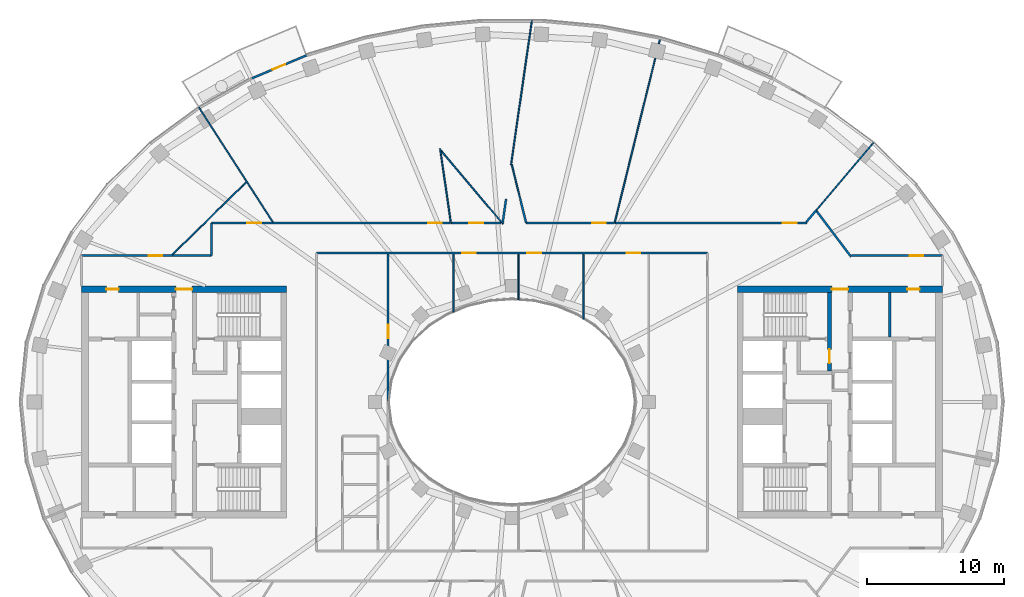
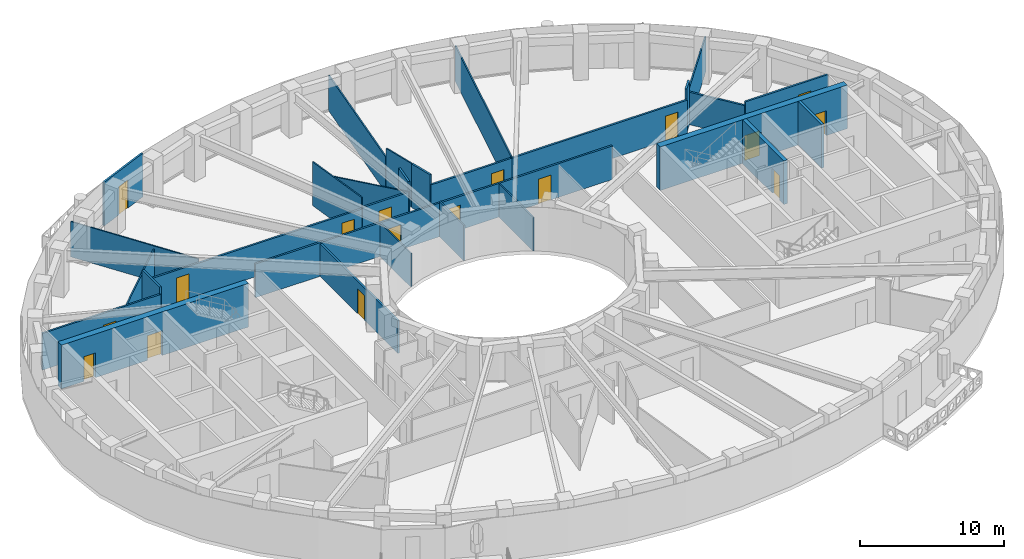
# One storey, part 6 of 15: 29 walls, 17 doors, 17 openings.
"""IFC4 building model written with IfcOpenShell, lengths in metres."""

from ifc_helpers import new_model, si_unit, direction, frame, frame_2d, origin, place, context, subcontext, project, spatial, rectangle, extrude, material, layer, layer_set, type_object, element, fill, save


model = new_model("IFC4")

# Units and contexts
model_context = context("Model", 3, precision=1e-05, world=origin(), true_north=direction((0.0, 1.0)))
body_context = subcontext(model_context, "Body", "Model", "MODEL_VIEW")
ifc_project = project(units=[si_unit("LENGTHUNIT", "METRE"), si_unit("AREAUNIT", "SQUARE_METRE"), si_unit("VOLUMEUNIT", "CUBIC_METRE"), si_unit("PLANEANGLEUNIT", "RADIAN"), si_unit("MASSUNIT", "GRAM", prefix="KILO")], contexts=[model_context])

# Site, building, storey
site_placement = place(None, origin())
site = spatial("IfcSite", under=ifc_project, at=site_placement, CompositionType="ELEMENT")
building_placement = place(site_placement, origin())
building = spatial("IfcBuilding", under=site, at=building_placement, Name="Noorbagh Ring Tower", CompositionType="ELEMENT")
storey_placement = place(building_placement, frame((0.0, 0.0, 265.5)))
storey = spatial("IfcBuildingStorey", under=building, at=storey_placement, Name="L56", CompositionType="ELEMENT", Elevation=265.5)

# Wall
ifc_material_1 = material(Name="Gypsum board on steel studs", Category="steel")
ifc_layer_1 = layer(ifc_material_1, 0.199951171875)
ifc_layer_set_1 = layer_set([ifc_layer_1], Name="Gypsum board on steel studs")
wall_type_1 = type_object("IfcWallType", Name="CORE-PARTITION-200", PredefinedType="PARTITIONING", material=ifc_layer_set_1)
wall_1_placement = place(storey_placement, frame((27.64990234375, 4.75, 0.0), z_axis=(0.0, 0.0, 1.0), x_axis=(0.0, 1.0, 0.0)))
element("IfcWall", 1, at=wall_1_placement, inside=storey, type_object=wall_type_1, Name="Core partition E", PredefinedType="PARTITIONING", context=body_context, shape_type="SweptSolid", body=[
    extrude(rectangle(XDim=3.25, YDim=0.199951171875, at=frame_2d((1.625, 0.0))), origin(), (0.0, 0.0, 1.0), 3.699951171875),
])

# Wall, opening, door
ifc_material_2 = material(Name="Concrete C60/75", Category="concrete")
ifc_layer_2 = layer(ifc_material_2, 0.300048828125)
ifc_layer_set_2 = layer_set([ifc_layer_2], Name="Concrete C60/75")
wall_type_2 = type_object("IfcWallType", Name="CORE-WALL-300-C60-75-EI240", PredefinedType="SHEAR", material=ifc_layer_set_2)
wall_2_placement = place(storey_placement, frame((23.22998046875, 2.25, 0.0), z_axis=(0.0, 0.0, 1.0), x_axis=(0.0, 1.0, 0.0)))
wall_2 = element("IfcWall", 2, at=wall_2_placement, inside=storey, type_object=wall_type_2, Name="Core wall E", PredefinedType="SHEAR", context=body_context, shape_type="SweptSolid", body=[
    extrude(rectangle(XDim=5.75, YDim=0.300048828125, at=frame_2d((2.875, 0.0))), origin(), (0.0, 0.0, 1.0), 3.699951171875),
])
opening_1_placement = place(wall_2_placement, frame((0.60009765625, 0.0, 0.0)))
opening_1 = element("IfcOpeningElement", 3, at=opening_1_placement, cuts=wall_2, Name="Opening L56-CE10", PredefinedType="OPENING", context=body_context, shape_type="SweptSolid", body=[
    extrude(rectangle(XDim=1.0, YDim=2.10009765625, at=frame_2d((0.5, 1.050048828125))), frame((0.0, 0.16015625, 0.0), z_axis=(0.0, -1.0, 0.0), x_axis=(1.0, 0.0, 0.0)), (0.0, 0.0, 1.0), 0.320068359375),
])
ifc_material_3 = material(Name="Steel door leaf", Category="steel")
door_type_1 = type_object("IfcDoorType", Name="CORE-DOOR-DVEST", OperationType="SINGLE_SWING_LEFT", PredefinedType="DOOR", material=ifc_material_3)
door_1_placement = place(opening_1_placement, origin())
door_1 = element("IfcDoor", 4, at=door_1_placement, inside=storey, type_object=door_type_1, Name="Stair vestibule door L56-CE10", OperationType="SINGLE_SWING_RIGHT", OverallHeight=2.10009765625, OverallWidth=1.0, PredefinedType="DOOR", context=body_context, shape_type="SweptSolid", body=[
    extrude(rectangle(XDim=1.0, YDim=2.10009765625, at=frame_2d((0.5, 1.050048828125))), frame((0.0, 0.02490234375, 0.0), z_axis=(0.0, -1.0, 0.0), x_axis=(1.0, 0.0, 0.0)), (0.0, 0.0, 1.0), 0.050048828125),
])
fill(opening_1, door_1)

# Wall, openings, doors
ifc_material_4 = material(Name="Concrete C60/75", Category="concrete")
ifc_layer_3 = layer(ifc_material_4, 0.5)
ifc_layer_set_3 = layer_set([ifc_layer_3], Name="Concrete C60/75")
wall_type_3 = type_object("IfcWallType", Name="CORE-WALL-500-C60-75-EI240", PredefinedType="SHEAR", material=ifc_layer_set_3)
wall_3_placement = place(storey_placement, frame((-16.5, 8.25, 0.0), z_axis=(0.0, 0.0, 1.0), x_axis=(-1.0, 0.0, 0.0)))
wall_3 = element("IfcWall", 5, at=wall_3_placement, inside=storey, type_object=wall_type_3, Name="Core wall W", PredefinedType="SHEAR", context=body_context, shape_type="SweptSolid", body=[
    extrude(rectangle(XDim=15.0, YDim=0.5, at=frame_2d((7.5, 0.0))), origin(), (0.0, 0.0, 1.0), 3.699951171875),
])
opening_2_placement = place(wall_3_placement, frame((6.89990234375, 0.0, 0.0)))
opening_2 = element("IfcOpeningElement", 6, at=opening_2_placement, cuts=wall_3, Name="Opening L56-CW10", PredefinedType="OPENING", context=body_context, shape_type="SweptSolid", body=[
    extrude(rectangle(XDim=1.199951171875, YDim=2.10009765625, at=frame_2d((0.60009765625, 1.050048828125))), frame((0.0, 0.260009765625, 0.0), z_axis=(0.0, -1.0, 0.0), x_axis=(1.0, 0.0, 0.0)), (0.0, 0.0, 1.0), 0.52001953125),
])
opening_3_placement = place(wall_3_placement, frame((12.27490234375, 0.0, 0.0)))
opening_3 = element("IfcOpeningElement", 7, at=opening_3_placement, cuts=wall_3, Name="Opening L56-CW14", PredefinedType="OPENING", context=body_context, shape_type="SweptSolid", body=[
    extrude(rectangle(XDim=0.89990234375, YDim=2.10009765625, at=frame_2d((0.449951171875, 1.050048828125))), frame((0.0, 0.260009765625, 0.0), z_axis=(0.0, -1.0, 0.0), x_axis=(1.0, 0.0, 0.0)), (0.0, 0.0, 1.0), 0.52001953125),
])
ifc_material_5 = material(Name="Steel door leaf", Category="steel")
door_type_2 = type_object("IfcDoorType", Name="CORE-DOOR-DROOM", OperationType="SINGLE_SWING_LEFT", PredefinedType="DOOR", material=ifc_material_5)
door_2_placement = place(opening_3_placement, origin())
door_2 = element("IfcDoor", 8, at=door_2_placement, inside=storey, type_object=door_type_2, Name="Core room door L56-CW14", OperationType="SINGLE_SWING_RIGHT", OverallHeight=2.10009765625, OverallWidth=0.89990234375, PredefinedType="DOOR", context=body_context, shape_type="SweptSolid", body=[
    extrude(rectangle(XDim=0.89990234375, YDim=2.10009765625, at=frame_2d((0.449951171875, 1.050048828125))), frame((0.0, 0.02490234375, 0.0), z_axis=(0.0, -1.0, 0.0), x_axis=(1.0, 0.0, 0.0)), (0.0, 0.0, 1.0), 0.050048828125),
])
fill(opening_3, door_2)
ifc_material_6 = material(Name="Steel door leaf", Category="steel")
door_type_3 = type_object("IfcDoorType", Name="CORE-DOOR-PORT", OperationType="DOUBLE_DOOR_DOUBLE_SWING", PredefinedType="DOOR", material=ifc_material_6)
door_3_placement = place(opening_2_placement, origin())
door_3 = element("IfcDoor", 9, at=door_3_placement, inside=storey, type_object=door_type_3, Name="Core entrance door L56-CW10", OperationType="DOUBLE_DOOR_DOUBLE_SWING", OverallHeight=2.10009765625, OverallWidth=1.199951171875, PredefinedType="DOOR", context=body_context, shape_type="SweptSolid", body=[
    extrude(rectangle(XDim=1.199951171875, YDim=2.10009765625, at=frame_2d((0.60009765625, 1.050048828125))), frame((0.0, 0.02490234375, 0.0), z_axis=(0.0, -1.0, 0.0), x_axis=(1.0, 0.0, 0.0)), (0.0, 0.0, 1.0), 0.050048828125),
])
fill(opening_2, door_3)

wall_4_placement = place(storey_placement, frame((16.5, 8.25, 0.0), z_axis=(0.0, 0.0, 1.0), x_axis=(1.0, 0.0, 0.0)))
wall_4 = element("IfcWall", 10, at=wall_4_placement, inside=storey, type_object=wall_type_3, Name="Core wall E", PredefinedType="SHEAR", context=body_context, shape_type="SweptSolid", body=[
    extrude(rectangle(XDim=15.0, YDim=0.5, at=frame_2d((7.5, 0.0))), origin(), (0.0, 0.0, 1.0), 3.699951171875),
])
opening_4_placement = place(wall_4_placement, frame((6.89990234375, 0.0, 0.0)))
opening_4 = element("IfcOpeningElement", 11, at=opening_4_placement, cuts=wall_4, Name="Opening L56-CE11", PredefinedType="OPENING", context=body_context, shape_type="SweptSolid", body=[
    extrude(rectangle(XDim=1.199951171875, YDim=2.10009765625, at=frame_2d((0.60009765625, 1.050048828125))), frame((0.0, 0.260009765625, 0.0), z_axis=(0.0, -1.0, 0.0), x_axis=(1.0, 0.0, 0.0)), (0.0, 0.0, 1.0), 0.52001953125),
])
opening_5_placement = place(wall_4_placement, frame((12.425048828125, 0.0, 0.0)))
opening_5 = element("IfcOpeningElement", 12, at=opening_5_placement, cuts=wall_4, Name="Opening L56-CE14", PredefinedType="OPENING", context=body_context, shape_type="SweptSolid", body=[
    extrude(rectangle(XDim=0.89990234375, YDim=2.10009765625, at=frame_2d((0.449951171875, 1.050048828125))), frame((0.0, 0.260009765625, 0.0), z_axis=(0.0, -1.0, 0.0), x_axis=(1.0, 0.0, 0.0)), (0.0, 0.0, 1.0), 0.52001953125),
])
door_4_placement = place(opening_5_placement, origin())
door_4 = element("IfcDoor", 13, at=door_4_placement, inside=storey, type_object=door_type_2, Name="Core room door L56-CE14", OperationType="SINGLE_SWING_LEFT", OverallHeight=2.10009765625, OverallWidth=0.89990234375, PredefinedType="DOOR", context=body_context, shape_type="SweptSolid", body=[
    extrude(rectangle(XDim=0.89990234375, YDim=2.10009765625, at=frame_2d((0.449951171875, 1.050048828125))), frame((0.0, 0.02490234375, 0.0), z_axis=(0.0, -1.0, 0.0), x_axis=(1.0, 0.0, 0.0)), (0.0, 0.0, 1.0), 0.050048828125),
])
fill(opening_5, door_4)
door_5_placement = place(opening_4_placement, origin())
door_5 = element("IfcDoor", 14, at=door_5_placement, inside=storey, type_object=door_type_3, Name="Core entrance door L56-CE11", OperationType="DOUBLE_DOOR_DOUBLE_SWING", OverallHeight=2.10009765625, OverallWidth=1.199951171875, PredefinedType="DOOR", context=body_context, shape_type="SweptSolid", body=[
    extrude(rectangle(XDim=1.199951171875, YDim=2.10009765625, at=frame_2d((0.60009765625, 1.050048828125))), frame((0.0, 0.02490234375, 0.0), z_axis=(0.0, -1.0, 0.0), x_axis=(1.0, 0.0, 0.0)), (0.0, 0.0, 1.0), 0.050048828125),
])
fill(opening_4, door_5)

# Wall, opening, door
ifc_material_7 = material(Name="Gypsum board on steel studs", Category="steel")
ifc_layer_4 = layer(ifc_material_7, 0.14990234375)
ifc_layer_set_4 = layer_set([ifc_layer_4], Name="Gypsum board on steel studs")
wall_type_4 = type_object("IfcWallType", Name="CORRIDOR PARTITION 150 EI 30", PredefinedType="PARTITIONING", material=ifc_layer_set_4)
wall_5_placement = place(storey_placement, frame((-31.5, 10.699951171875, 0.0), z_axis=(0.0, 0.0, 1.0), x_axis=(1.0, 0.0, 0.0)))
wall_5 = element("IfcWall", 15, at=wall_5_placement, inside=storey, type_object=wall_type_4, Name="L56/wall/P05", PredefinedType="PARTITIONING", context=body_context, shape_type="SweptSolid", body=[
    extrude(rectangle(XDim=9.5, YDim=0.14990234375, at=frame_2d((4.75, 0.0))), origin(), (0.0, 0.0, 1.0), 3.10009765625),
])
opening_6_placement = place(wall_5_placement, frame((4.909912109375, 0.0, 0.0)))
opening_6 = element("IfcOpeningElement", 16, at=opening_6_placement, cuts=wall_5, Name="Opening D1", PredefinedType="OPENING", context=body_context, shape_type="SweptSolid", body=[
    extrude(rectangle(XDim=1.0, YDim=2.10009765625, at=frame_2d((0.5, 1.050048828125))), frame((0.0, 0.0849609375, 0.0), z_axis=(0.0, -1.0, 0.0), x_axis=(1.0, 0.0, 0.0)), (0.0, 0.0, 1.0), 0.169921875),
])
ifc_material_8 = material(Name="Timber, painted", Category="wood")
door_type_4 = type_object("IfcDoorType", Name="DOOR 1000 X 2100 FD30", OperationType="SINGLE_SWING_LEFT", PredefinedType="DOOR", material=ifc_material_8)
door_6_placement = place(opening_6_placement, origin())
door_6 = element("IfcDoor", 17, at=door_6_placement, inside=storey, type_object=door_type_4, Name="L56-D07", OperationType="SINGLE_SWING_LEFT", OverallHeight=2.10009765625, OverallWidth=1.0, PredefinedType="DOOR", context=body_context, shape_type="SweptSolid", body=[
    extrude(rectangle(XDim=1.0, YDim=2.10009765625, at=frame_2d((0.5, 1.050048828125))), frame((0.0, 0.02490234375, 0.0), z_axis=(0.0, -1.0, 0.0), x_axis=(1.0, 0.0, 0.0)), (0.0, 0.0, 1.0), 0.050048828125),
])
fill(opening_6, door_6)

# Wall
wall_6_placement = place(storey_placement, frame((-22.0, 10.699951171875, 0.0), z_axis=(0.0, 0.0, 1.0), x_axis=(0.0, 1.0, 0.0)))
element("IfcWall", 18, at=wall_6_placement, inside=storey, type_object=wall_type_4, Name="L56/wall/P12", PredefinedType="PARTITIONING", context=body_context, shape_type="SweptSolid", body=[
    extrude(rectangle(XDim=2.400146484375, YDim=0.14990234375, at=frame_2d((1.2001953125, 0.0))), origin(), (0.0, 0.0, 1.0), 3.699951171875),
])

# Wall, openings, doors
wall_7_placement = place(storey_placement, frame((-22.0, 13.10009765625, 0.0), z_axis=(0.0, 0.0, 1.0), x_axis=(1.0, 0.0, 0.0)))
wall_7 = element("IfcWall", 19, at=wall_7_placement, inside=storey, type_object=wall_type_4, Name="L56/wall/P13", PredefinedType="PARTITIONING", context=body_context, shape_type="SweptSolid", body=[
    extrude(rectangle(XDim=17.507080078125, YDim=0.14990234375, at=frame_2d((8.75341796875, 0.0))), origin(), (0.0, 0.0, 1.0), 2.75),
])
opening_7_placement = place(wall_7_placement, frame((2.64306640625, 0.0, 0.0)))
opening_7 = element("IfcOpeningElement", 20, at=opening_7_placement, cuts=wall_7, Name="Opening D1", PredefinedType="OPENING", context=body_context, shape_type="SweptSolid", body=[
    extrude(rectangle(XDim=1.0, YDim=2.10009765625, at=frame_2d((0.5, 1.050048828125))), frame((0.0, 0.0849609375, 0.0), z_axis=(0.0, -1.0, 0.0), x_axis=(1.0, 0.0, 0.0)), (0.0, 0.0, 1.0), 0.169921875),
])
opening_8_placement = place(wall_7_placement, frame((15.876953125, 0.0, 0.0)))
opening_8 = element("IfcOpeningElement", 21, at=opening_8_placement, cuts=wall_7, Name="Opening D1", PredefinedType="OPENING", context=body_context, shape_type="SweptSolid", body=[
    extrude(rectangle(XDim=1.0, YDim=2.10009765625, at=frame_2d((0.5, 1.050048828125))), frame((0.0, 0.0849609375, 0.0), z_axis=(0.0, -1.0, 0.0), x_axis=(1.0, 0.0, 0.0)), (0.0, 0.0, 1.0), 0.169921875),
])
door_7_placement = place(opening_7_placement, origin())
door_7 = element("IfcDoor", 22, at=door_7_placement, inside=storey, type_object=door_type_4, Name="L56-D09", OperationType="SINGLE_SWING_LEFT", OverallHeight=2.10009765625, OverallWidth=1.0, PredefinedType="DOOR", context=body_context, shape_type="SweptSolid", body=[
    extrude(rectangle(XDim=1.0, YDim=2.10009765625, at=frame_2d((0.5, 1.050048828125))), frame((0.0, 0.02490234375, 0.0), z_axis=(0.0, -1.0, 0.0), x_axis=(1.0, 0.0, 0.0)), (0.0, 0.0, 1.0), 0.050048828125),
])
fill(opening_7, door_7)
door_8_placement = place(opening_8_placement, origin())
door_8 = element("IfcDoor", 23, at=door_8_placement, inside=storey, type_object=door_type_4, Name="L56-D11", OperationType="SINGLE_SWING_LEFT", OverallHeight=2.10009765625, OverallWidth=1.0, PredefinedType="DOOR", context=body_context, shape_type="SweptSolid", body=[
    extrude(rectangle(XDim=1.0, YDim=2.10009765625, at=frame_2d((0.5, 1.050048828125))), frame((0.0, 0.02490234375, 0.0), z_axis=(0.0, -1.0, 0.0), x_axis=(1.0, 0.0, 0.0)), (0.0, 0.0, 1.0), 0.050048828125),
])
fill(opening_8, door_8)

wall_8_placement = place(storey_placement, frame((-14.300048828125, 10.89990234375, 0.0), z_axis=(0.0, 0.0, 1.0), x_axis=(1.0, 0.0, 0.0)))
wall_8 = element("IfcWall", 24, at=wall_8_placement, inside=storey, type_object=wall_type_4, Name="L56/wall/P16", PredefinedType="PARTITIONING", context=body_context, shape_type="SweptSolid", body=[
    extrude(rectangle(XDim=28.60009765625, YDim=0.14990234375, at=frame_2d((14.300048828125, 0.0))), origin(), (0.0, 0.0, 1.0), 2.85009765625),
])
opening_9_placement = place(wall_8_placement, frame((10.659912109375, 0.0, 0.0)))
opening_9 = element("IfcOpeningElement", 25, at=opening_9_placement, cuts=wall_8, Name="Opening D1", PredefinedType="OPENING", context=body_context, shape_type="SweptSolid", body=[
    extrude(rectangle(XDim=1.0, YDim=2.10009765625, at=frame_2d((0.5, 1.050048828125))), frame((0.0, 0.0849609375, 0.0), z_axis=(0.0, -1.0, 0.0), x_axis=(1.0, 0.0, 0.0)), (0.0, 0.0, 1.0), 0.169921875),
])
opening_10_placement = place(wall_8_placement, frame((15.427001953125, 0.0, 0.0)))
opening_10 = element("IfcOpeningElement", 26, at=opening_10_placement, cuts=wall_8, Name="Opening D1", PredefinedType="OPENING", context=body_context, shape_type="SweptSolid", body=[
    extrude(rectangle(XDim=1.0, YDim=2.10009765625, at=frame_2d((0.5, 1.050048828125))), frame((0.0, 0.0849609375, 0.0), z_axis=(0.0, -1.0, 0.0), x_axis=(1.0, 0.0, 0.0)), (0.0, 0.0, 1.0), 0.169921875),
])
opening_11_placement = place(wall_8_placement, frame((22.693115234375, 0.0, 0.0)))
opening_11 = element("IfcOpeningElement", 27, at=opening_11_placement, cuts=wall_8, Name="Opening D1", PredefinedType="OPENING", context=body_context, shape_type="SweptSolid", body=[
    extrude(rectangle(XDim=1.0, YDim=2.10009765625, at=frame_2d((0.5, 1.050048828125))), frame((0.0, 0.0849609375, 0.0), z_axis=(0.0, -1.0, 0.0), x_axis=(1.0, 0.0, 0.0)), (0.0, 0.0, 1.0), 0.169921875),
])
door_9_placement = place(opening_9_placement, origin())
door_9 = element("IfcDoor", 28, at=door_9_placement, inside=storey, type_object=door_type_4, Name="L56-D23", OperationType="SINGLE_SWING_LEFT", OverallHeight=2.10009765625, OverallWidth=1.0, PredefinedType="DOOR", context=body_context, shape_type="SweptSolid", body=[
    extrude(rectangle(XDim=1.0, YDim=2.10009765625, at=frame_2d((0.5, 1.050048828125))), frame((0.0, 0.02490234375, 0.0), z_axis=(0.0, -1.0, 0.0), x_axis=(1.0, 0.0, 0.0)), (0.0, 0.0, 1.0), 0.050048828125),
])
fill(opening_9, door_9)
door_10_placement = place(opening_10_placement, origin())
door_10 = element("IfcDoor", 29, at=door_10_placement, inside=storey, type_object=door_type_4, Name="L56-D25", OperationType="SINGLE_SWING_LEFT", OverallHeight=2.10009765625, OverallWidth=1.0, PredefinedType="DOOR", context=body_context, shape_type="SweptSolid", body=[
    extrude(rectangle(XDim=1.0, YDim=2.10009765625, at=frame_2d((0.5, 1.050048828125))), frame((0.0, 0.02490234375, 0.0), z_axis=(0.0, -1.0, 0.0), x_axis=(1.0, 0.0, 0.0)), (0.0, 0.0, 1.0), 0.050048828125),
])
fill(opening_10, door_10)
door_11_placement = place(opening_11_placement, origin())
door_11 = element("IfcDoor", 30, at=door_11_placement, inside=storey, type_object=door_type_4, Name="L56-D26", OperationType="SINGLE_SWING_RIGHT", OverallHeight=2.10009765625, OverallWidth=1.0, PredefinedType="DOOR", context=body_context, shape_type="SweptSolid", body=[
    extrude(rectangle(XDim=1.0, YDim=2.10009765625, at=frame_2d((0.5, 1.050048828125))), frame((0.0, 0.02490234375, 0.0), z_axis=(0.0, -1.0, 0.0), x_axis=(1.0, 0.0, 0.0)), (0.0, 0.0, 1.0), 0.050048828125),
])
fill(opening_11, door_11)

# Wall, opening, door
wall_9_placement = place(storey_placement, frame((-9.056884765625, 0.044921875, 0.0), z_axis=(0.0, 0.0, 1.0), x_axis=(0.0, 1.0, 0.0)))
wall_9 = element("IfcWall", 31, at=wall_9_placement, inside=storey, type_object=wall_type_4, Name="L56/wall/P26", PredefinedType="PARTITIONING", context=body_context, shape_type="SweptSolid", body=[
    extrude(rectangle(XDim=10.780029296875, YDim=0.14990234375, at=frame_2d((5.39013671875, 0.0))), origin(), (0.0, 0.0, 1.0), 2.75),
])
opening_12_placement = place(wall_9_placement, frame((4.610107421875, 0.0, 0.0)))
opening_12 = element("IfcOpeningElement", 32, at=opening_12_placement, cuts=wall_9, Name="Opening D1", PredefinedType="OPENING", context=body_context, shape_type="SweptSolid", body=[
    extrude(rectangle(XDim=1.0, YDim=2.10009765625, at=frame_2d((0.5, 1.050048828125))), frame((0.0, 0.0849609375, 0.0), z_axis=(0.0, -1.0, 0.0), x_axis=(1.0, 0.0, 0.0)), (0.0, 0.0, 1.0), 0.169921875),
])
door_12_placement = place(opening_12_placement, origin())
door_12 = element("IfcDoor", 33, at=door_12_placement, inside=storey, type_object=door_type_4, Name="L56-D21", OperationType="SINGLE_SWING_LEFT", OverallHeight=2.10009765625, OverallWidth=1.0, PredefinedType="DOOR", context=body_context, shape_type="SweptSolid", body=[
    extrude(rectangle(XDim=1.0, YDim=2.10009765625, at=frame_2d((0.5, 1.050048828125))), frame((0.0, 0.02490234375, 0.0), z_axis=(0.0, -1.0, 0.0), x_axis=(1.0, 0.0, 0.0)), (0.0, 0.0, 1.0), 0.050048828125),
])
fill(opening_12, door_12)

wall_10_placement = place(storey_placement, frame((-4.472900390625, 13.10009765625, 0.0), z_axis=(0.0, 0.0, 1.0), x_axis=(1.0, 0.0, 0.0)))
wall_10 = element("IfcWall", 34, at=wall_10_placement, inside=storey, type_object=wall_type_4, Name="L56/wall/P32", PredefinedType="PARTITIONING", context=body_context, shape_type="SweptSolid", body=[
    extrude(rectangle(XDim=3.679931640625, YDim=0.14990234375, at=frame_2d((1.83984375, 0.0))), origin(), (0.0, 0.0, 1.0), 2.85009765625),
])
opening_13_placement = place(wall_10_placement, frame((1.35205078125, 0.0, 0.0)))
opening_13 = element("IfcOpeningElement", 35, at=opening_13_placement, cuts=wall_10, Name="Opening D1", PredefinedType="OPENING", context=body_context, shape_type="SweptSolid", body=[
    extrude(rectangle(XDim=1.0, YDim=2.10009765625, at=frame_2d((0.5, 1.050048828125))), frame((0.0, 0.0849609375, 0.0), z_axis=(0.0, -1.0, 0.0), x_axis=(1.0, 0.0, 0.0)), (0.0, 0.0, 1.0), 0.169921875),
])
door_13_placement = place(opening_13_placement, origin())
door_13 = element("IfcDoor", 36, at=door_13_placement, inside=storey, type_object=door_type_4, Name="L56-D13", OperationType="SINGLE_SWING_LEFT", OverallHeight=2.10009765625, OverallWidth=1.0, PredefinedType="DOOR", context=body_context, shape_type="SweptSolid", body=[
    extrude(rectangle(XDim=1.0, YDim=2.10009765625, at=frame_2d((0.5, 1.050048828125))), frame((0.0, 0.02490234375, 0.0), z_axis=(0.0, -1.0, 0.0), x_axis=(1.0, 0.0, 0.0)), (0.0, 0.0, 1.0), 0.050048828125),
])
fill(opening_13, door_13)

# Walls
wall_11_placement = place(storey_placement, frame((-0.68603515625, 13.10009765625, 0.0), z_axis=(0.0, 0.0, 1.0), x_axis=(0.143329398439, 0.989675039366, 0.0)))
element("IfcWall", 37, at=wall_11_placement, inside=storey, type_object=wall_type_4, Name="L56/wall/P36", PredefinedType="PARTITIONING", context=body_context, shape_type="SweptSolid", body=[
    extrude(rectangle(XDim=1.773193359375, YDim=0.14990234375, at=frame_2d((0.88671875, 0.0))), origin(), (0.0, 0.0, 1.0), 3.699951171875),
])
wall_12_placement = place(storey_placement, frame((0.597900390625, 14.8740234375, 0.0), z_axis=(0.0, 0.0, 1.0), x_axis=(0.239705101821, -0.970845746842, 0.0)))
element("IfcWall", 38, at=wall_12_placement, inside=storey, type_object=wall_type_4, Name="L56/wall/P44", PredefinedType="PARTITIONING", context=body_context, shape_type="SweptSolid", body=[
    extrude(rectangle(XDim=1.8271484375, YDim=0.14990234375, at=frame_2d((0.91357421875, 0.0))), origin(), (0.0, 0.0, 1.0), 3.699951171875),
])

# Wall, opening, door
wall_13_placement = place(storey_placement, frame((1.035888671875, 13.10009765625, 0.0), z_axis=(0.0, 0.0, 1.0), x_axis=(1.0, 0.0, 0.0)))
wall_13 = element("IfcWall", 39, at=wall_13_placement, inside=storey, type_object=wall_type_4, Name="L56/wall/P46", PredefinedType="PARTITIONING", context=body_context, shape_type="SweptSolid", body=[
    extrude(rectangle(XDim=6.47119140625, YDim=0.14990234375, at=frame_2d((3.235595703125, 0.0))), origin(), (0.0, 0.0, 1.0), 2.85009765625),
])
opening_14_placement = place(wall_13_placement, frame((4.837890625, 0.0, 0.0)))
opening_14 = element("IfcOpeningElement", 40, at=opening_14_placement, cuts=wall_13, Name="Opening D1", PredefinedType="OPENING", context=body_context, shape_type="SweptSolid", body=[
    extrude(rectangle(XDim=1.0, YDim=2.10009765625, at=frame_2d((0.5, 1.050048828125))), frame((0.0, 0.0849609375, 0.0), z_axis=(0.0, -1.0, 0.0), x_axis=(1.0, 0.0, 0.0)), (0.0, 0.0, 1.0), 0.169921875),
])
door_14_placement = place(opening_14_placement, origin())
door_14 = element("IfcDoor", 41, at=door_14_placement, inside=storey, type_object=door_type_4, Name="L56-D15", OperationType="SINGLE_SWING_LEFT", OverallHeight=2.10009765625, OverallWidth=1.0, PredefinedType="DOOR", context=body_context, shape_type="SweptSolid", body=[
    extrude(rectangle(XDim=1.0, YDim=2.10009765625, at=frame_2d((0.5, 1.050048828125))), frame((0.0, 0.02490234375, 0.0), z_axis=(0.0, -1.0, 0.0), x_axis=(1.0, 0.0, 0.0)), (0.0, 0.0, 1.0), 0.050048828125),
])
fill(opening_14, door_14)

wall_14_placement = place(storey_placement, frame((7.52392578125, 13.10009765625, 0.0), z_axis=(0.0, 0.0, 1.0), x_axis=(1.0, 0.0, 0.0)))
wall_14 = element("IfcWall", 42, at=wall_14_placement, inside=storey, type_object=wall_type_4, Name="L56/wall/P52", PredefinedType="PARTITIONING", context=body_context, shape_type="SweptSolid", body=[
    extrude(rectangle(XDim=14.052001953125, YDim=0.14990234375, at=frame_2d((7.02587890625, 0.0))), origin(), (0.0, 0.0, 1.0), 2.85009765625),
])
opening_15_placement = place(wall_14_placement, frame((12.303955078125, 0.0, 0.0)))
opening_15 = element("IfcOpeningElement", 43, at=opening_15_placement, cuts=wall_14, Name="Opening D1", PredefinedType="OPENING", context=body_context, shape_type="SweptSolid", body=[
    extrude(rectangle(XDim=1.0, YDim=2.10009765625, at=frame_2d((0.5, 1.050048828125))), frame((0.0, 0.0849609375, 0.0), z_axis=(0.0, -1.0, 0.0), x_axis=(1.0, 0.0, 0.0)), (0.0, 0.0, 1.0), 0.169921875),
])
door_15_placement = place(opening_15_placement, origin())
door_15 = element("IfcDoor", 44, at=door_15_placement, inside=storey, type_object=door_type_4, Name="L56-D17", OperationType="SINGLE_SWING_LEFT", OverallHeight=2.10009765625, OverallWidth=1.0, PredefinedType="DOOR", context=body_context, shape_type="SweptSolid", body=[
    extrude(rectangle(XDim=1.0, YDim=2.10009765625, at=frame_2d((0.5, 1.050048828125))), frame((0.0, 0.02490234375, 0.0), z_axis=(0.0, -1.0, 0.0), x_axis=(1.0, 0.0, 0.0)), (0.0, 0.0, 1.0), 0.050048828125),
])
fill(opening_15, door_15)

# Walls
wall_15_placement = place(storey_placement, frame((21.541015625, 13.175048828125, 0.0), z_axis=(0.0, 0.0, 1.0), x_axis=(0.646460291141, 0.762947633837, 0.0)))
element("IfcWall", 45, at=wall_15_placement, inside=storey, type_object=wall_type_4, Name="L56/wall/P56", PredefinedType="PARTITIONING", context=body_context, shape_type="SweptSolid", body=[
    extrude(rectangle(XDim=1.09814453125, YDim=0.14990234375, at=frame_2d((0.549072265625, 0.0))), origin(), (0.0, 0.0, 1.0), 3.699951171875),
])
wall_16_placement = place(storey_placement, frame((22.2509765625, 14.012939453125, 0.0), z_axis=(0.0, 0.0, 1.0), x_axis=(0.602435944628, -0.798167233492, 0.0)))
element("IfcWall", 46, at=wall_16_placement, inside=storey, type_object=wall_type_4, Name="L56/wall/P59", PredefinedType="PARTITIONING", context=body_context, shape_type="SweptSolid", body=[
    extrude(rectangle(XDim=4.24462890625, YDim=0.14990234375, at=frame_2d((2.122314453125, 0.0))), origin(), (0.0, 0.0, 1.0), 2.75),
])

# Wall, opening, door
wall_17_placement = place(storey_placement, frame((24.844970703125, 10.699951171875, 0.0), z_axis=(0.0, 0.0, 1.0), x_axis=(1.0, 0.0, 0.0)))
wall_17 = element("IfcWall", 47, at=wall_17_placement, inside=storey, type_object=wall_type_4, Name="L56/wall/P62", PredefinedType="PARTITIONING", context=body_context, shape_type="SweptSolid", body=[
    extrude(rectangle(XDim=6.655029296875, YDim=0.14990234375, at=frame_2d((3.32763671875, 0.0))), origin(), (0.0, 0.0, 1.0), 3.0),
])
opening_16_placement = place(wall_17_placement, frame((4.2548828125, 0.0, 0.0)))
opening_16 = element("IfcOpeningElement", 48, at=opening_16_placement, cuts=wall_17, Name="Opening D1", PredefinedType="OPENING", context=body_context, shape_type="SweptSolid", body=[
    extrude(rectangle(XDim=1.0, YDim=2.10009765625, at=frame_2d((0.5, 1.050048828125))), frame((0.0, 0.0849609375, 0.0), z_axis=(0.0, -1.0, 0.0), x_axis=(1.0, 0.0, 0.0)), (0.0, 0.0, 1.0), 0.169921875),
])
door_16_placement = place(opening_16_placement, origin())
door_16 = element("IfcDoor", 49, at=door_16_placement, inside=storey, type_object=door_type_4, Name="L56-D19", OperationType="SINGLE_SWING_LEFT", OverallHeight=2.10009765625, OverallWidth=1.0, PredefinedType="DOOR", context=body_context, shape_type="SweptSolid", body=[
    extrude(rectangle(XDim=1.0, YDim=2.10009765625, at=frame_2d((0.5, 1.050048828125))), frame((0.0, 0.02490234375, 0.0), z_axis=(0.0, -1.0, 0.0), x_axis=(1.0, 0.0, 0.0)), (0.0, 0.0, 1.0), 0.050048828125),
])
fill(opening_16, door_16)

ifc_material_9 = material(Name="Insulated aluminium clad panel", Category="aluminium")
ifc_layer_5 = layer(ifc_material_9, 0.14990234375)
ifc_layer_set_5 = layer_set([ifc_layer_5], Name="Insulated aluminium clad panel")
wall_type_5 = type_object("IfcWallType", Name="ENV-WALL-DOOR", PredefinedType="STANDARD", material=ifc_layer_set_5)
wall_18_placement = place(storey_placement, frame((-15.017822265625, 25.368896484375, 0.0), z_axis=(0.0, 0.0, 1.0), x_axis=(-0.921816985161, -0.387625393736, 0.0)))
wall_18 = element("IfcWall", 50, at=wall_18_placement, inside=storey, type_object=wall_type_5, Name="Balcony door wall chord 16", PredefinedType="STANDARD", context=body_context, shape_type="SweptSolid", body=[
    extrude(rectangle(XDim=4.42578125, YDim=0.14990234375, at=frame_2d((2.212890625, 0.0))), origin(), (0.0, 0.0, 1.0), 3.699951171875),
])
opening_17_placement = place(wall_18_placement, frame((1.712890625, 0.0, 0.0)))
opening_17 = element("IfcOpeningElement", 51, at=opening_17_placement, cuts=wall_18, Name="Opening D-BL", PredefinedType="OPENING", context=body_context, shape_type="SweptSolid", body=[
    extrude(rectangle(XDim=1.0, YDim=2.39990234375, at=frame_2d((0.5, 1.199951171875))), frame((0.0, 0.0849609375, 0.0), z_axis=(0.0, -1.0, 0.0), x_axis=(1.0, 0.0, 0.0)), (0.0, 0.0, 1.0), 0.169921875),
])
ifc_material_10 = material(Name="Aluminium and glass", Category="aluminium")
door_type_5 = type_object("IfcDoorType", Name="ENV-DOOR-BALCONY", OperationType="SINGLE_SWING_LEFT", PredefinedType="DOOR", material=ifc_material_10)
door_17_placement = place(opening_17_placement, origin())
door_17 = element("IfcDoor", 52, at=door_17_placement, inside=storey, type_object=door_type_5, Name="Balcony door chord 16", OperationType="SINGLE_SWING_LEFT", OverallHeight=2.39990234375, OverallWidth=1.0, PredefinedType="DOOR", context=body_context, shape_type="SweptSolid", body=[
    extrude(rectangle(XDim=1.0, YDim=2.39990234375, at=frame_2d((0.5, 1.199951171875))), frame((0.0, 0.02490234375, 0.0), z_axis=(0.0, -1.0, 0.0), x_axis=(1.0, 0.0, 0.0)), (0.0, 0.0, 1.0), 0.050048828125),
])
fill(opening_17, door_17)

# Walls
ifc_material_11 = material(Name="Gypsum board on steel studs", Category="steel")
ifc_layer_6 = layer(ifc_material_11, 0.10009765625)
ifc_layer_set_6 = layer_set([ifc_layer_6], Name="Gypsum board on steel studs")
wall_type_6 = type_object("IfcWallType", Name="PARTITION 100 GYPSUM", PredefinedType="PARTITIONING", material=ifc_layer_set_6)
wall_19_placement = place(storey_placement, frame((-24.865966796875, 10.778076171875, 0.0), z_axis=(0.0, 0.0, 1.0), x_axis=(0.715632814242, 0.698476681916, 0.0)))
element("IfcWall", 53, at=wall_19_placement, inside=storey, type_object=wall_type_6, Name="L56/wall/P07", PredefinedType="PARTITIONING", context=body_context, shape_type="SweptSolid", body=[
    extrude(rectangle(XDim=7.5849609375, YDim=0.10009765625, at=frame_2d((3.79248046875, 0.0))), origin(), (0.0, 0.0, 1.0), 2.75),
])
wall_20_placement = place(storey_placement, frame((-22.905029296875, 21.5419921875, 0.0), z_axis=(0.0, 0.0, 1.0), x_axis=(0.542277075573, -0.840199722273, 0.0)))
element("IfcWall", 54, at=wall_20_placement, inside=storey, type_object=wall_type_6, Name="L56/wall/P09", PredefinedType="PARTITIONING", context=body_context, shape_type="SweptSolid", body=[
    extrude(rectangle(XDim=9.958251953125, YDim=0.10009765625, at=frame_2d((4.97900390625, 0.0))), origin(), (0.0, 0.0, 1.0), 3.0),
])
wall_21_placement = place(storey_placement, frame((-5.258056640625, 18.532958984375, 0.0), z_axis=(0.0, 0.0, 1.0), x_axis=(0.143033857536, -0.989717795939, 0.0)))
element("IfcWall", 55, at=wall_21_placement, inside=storey, type_object=wall_type_6, Name="L56/wall/P29", PredefinedType="PARTITIONING", context=body_context, shape_type="SweptSolid", body=[
    extrude(rectangle(XDim=5.4892578125, YDim=0.10009765625, at=frame_2d((2.74462890625, 0.0))), origin(), (0.0, 0.0, 1.0), 3.699951171875),
])
wall_22_placement = place(storey_placement, frame((-5.18408203125, 18.367919921875, 0.0), z_axis=(0.0, 0.0, 1.0), x_axis=(0.646448441734, -0.762957673911, 0.0)))
element("IfcWall", 56, at=wall_22_placement, inside=storey, type_object=wall_type_6, Name="L56/wall/P30", PredefinedType="PARTITIONING", context=body_context, shape_type="SweptSolid", body=[
    extrude(rectangle(XDim=7.0029296875, YDim=0.10009765625, at=frame_2d((3.50146484375, 0.0))), origin(), (0.0, 0.0, 1.0), 2.85009765625),
])
wall_23_placement = place(storey_placement, frame((-4.2900390625, 6.568115234375, 0.0), z_axis=(0.0, 0.0, 1.0), x_axis=(0.0, 1.0, 0.0)))
element("IfcWall", 57, at=wall_23_placement, inside=storey, type_object=wall_type_6, Name="L56/wall/P34", PredefinedType="PARTITIONING", context=body_context, shape_type="SweptSolid", body=[
    extrude(rectangle(XDim=4.2568359375, YDim=0.10009765625, at=frame_2d((2.12841796875, 0.0))), origin(), (0.0, 0.0, 1.0), 2.85009765625),
])
wall_24_placement = place(storey_placement, frame((-0.070068359375, 17.364013671875, 0.0), z_axis=(0.0, 0.0, 1.0), x_axis=(0.143049923822, 0.989715473909, 0.0)))
element("IfcWall", 58, at=wall_24_placement, inside=storey, type_object=wall_type_6, Name="L56/wall/P37", PredefinedType="PARTITIONING", context=body_context, shape_type="SweptSolid", body=[
    extrude(rectangle(XDim=10.639404296875, YDim=0.10009765625, at=frame_2d((5.31982421875, 0.0))), origin(), (0.0, 0.0, 1.0), 3.0),
])
wall_25_placement = place(storey_placement, frame((-0.01806640625, 17.366943359375, 0.0), z_axis=(0.0, 0.0, 1.0), x_axis=(0.239726748723, -0.970840401893, 0.0)))
element("IfcWall", 59, at=wall_25_placement, inside=storey, type_object=wall_type_6, Name="L56/wall/P40", PredefinedType="PARTITIONING", context=body_context, shape_type="SweptSolid", body=[
    extrude(rectangle(XDim=2.536865234375, YDim=0.10009765625, at=frame_2d((1.2685546875, 0.0))), origin(), (0.0, 0.0, 1.0), 3.699951171875),
])
wall_26_placement = place(storey_placement, frame((0.47705078125, 7.468017578125, 0.0), z_axis=(0.0, 0.0, 1.0), x_axis=(0.0, 1.0, 0.0)))
element("IfcWall", 60, at=wall_26_placement, inside=storey, type_object=wall_type_6, Name="L56/wall/P42", PredefinedType="PARTITIONING", context=body_context, shape_type="SweptSolid", body=[
    extrude(rectangle(XDim=3.35693359375, YDim=0.10009765625, at=frame_2d((1.678466796875, 0.0))), origin(), (0.0, 0.0, 1.0), 3.0),
])
wall_27_placement = place(storey_placement, frame((5.242919921875, 6.05908203125, 0.0), z_axis=(0.0, 0.0, 1.0), x_axis=(0.0, 1.0, 0.0)))
element("IfcWall", 61, at=wall_27_placement, inside=storey, type_object=wall_type_6, Name="L56/wall/P48", PredefinedType="PARTITIONING", context=body_context, shape_type="SweptSolid", body=[
    extrude(rectangle(XDim=4.765869140625, YDim=0.10009765625, at=frame_2d((2.3828125, 0.0))), origin(), (0.0, 0.0, 1.0), 2.85009765625),
])
wall_28_placement = place(storey_placement, frame((7.509033203125, 13.10009765625, 0.0), z_axis=(0.0, 0.0, 1.0), x_axis=(0.239669025128, 0.970854653588, 0.0)))
element("IfcWall", 62, at=wall_28_placement, inside=storey, type_object=wall_type_6, Name="L56/wall/P50", PredefinedType="PARTITIONING", context=body_context, shape_type="SweptSolid", body=[
    extrude(rectangle(XDim=13.95263671875, YDim=0.10009765625, at=frame_2d((6.976318359375, 0.0))), origin(), (0.0, 0.0, 1.0), 3.0),
])
wall_29_placement = place(storey_placement, frame((22.2509765625, 14.012939453125, 0.0), z_axis=(0.0, 0.0, 1.0), x_axis=(0.646448300096, 0.76295779392, 0.0)))
element("IfcWall", 63, at=wall_29_placement, inside=storey, type_object=wall_type_6, Name="L56/wall/P60", PredefinedType="PARTITIONING", context=body_context, shape_type="SweptSolid", body=[
    extrude(rectangle(XDim=6.464599609375, YDim=0.10009765625, at=frame_2d((3.232421875, 0.0))), origin(), (0.0, 0.0, 1.0), 3.0),
])

save(model, "model.ifc")
